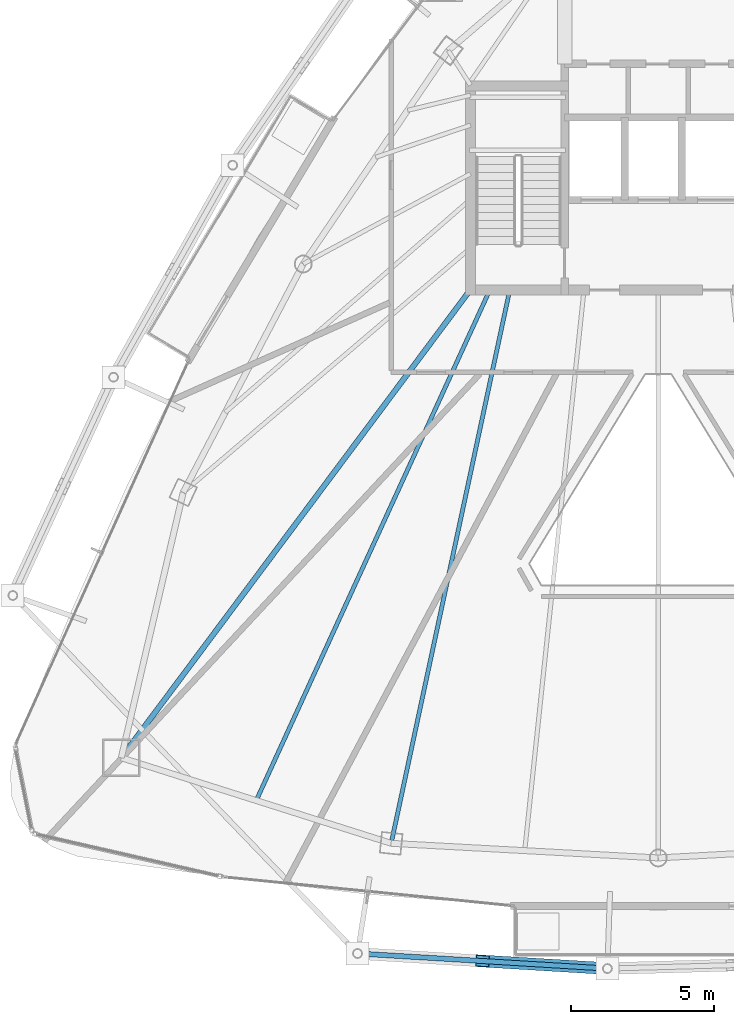
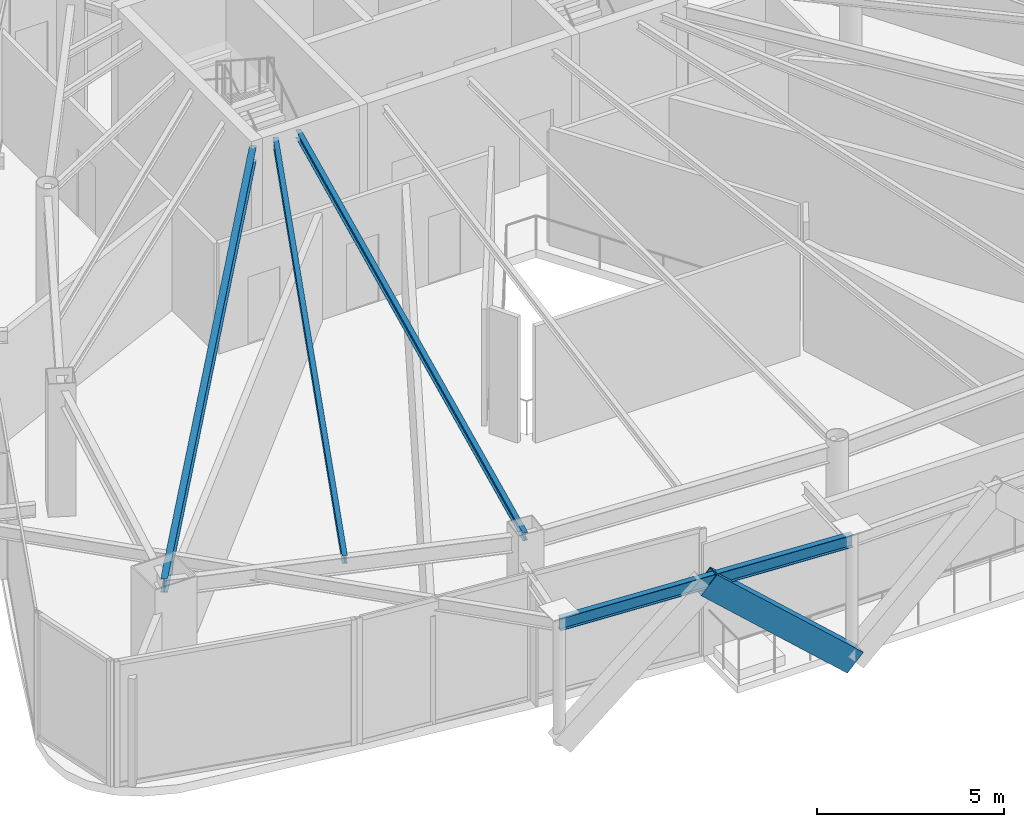
# One storey, part 5 of 25: 4 beams, 1 member.
"""IFC4 building model written with IfcOpenShell, lengths in metres."""

from ifc_helpers import new_model, si_unit, direction, frame, origin, origin_2d, place, context, subcontext, project, spatial, hollow_rectangle, i_section, extrude, material, material_profile, profile_set, type_object, element, save


model = new_model("IFC4")

# Units and contexts
model_context = context("Model", 3, precision=1e-05, world=origin(), true_north=direction((0.0, 1.0)))
body_context = subcontext(model_context, "Body", "Model", "MODEL_VIEW")
ifc_project = project(units=[si_unit("LENGTHUNIT", "METRE"), si_unit("AREAUNIT", "SQUARE_METRE"), si_unit("VOLUMEUNIT", "CUBIC_METRE"), si_unit("PLANEANGLEUNIT", "RADIAN"), si_unit("MASSUNIT", "GRAM", prefix="KILO")], contexts=[model_context])

# Site, building, storey
site_placement = place(None, origin())
site = spatial("IfcSite", under=ifc_project, at=site_placement, CompositionType="ELEMENT")
building_placement = place(site_placement, origin())
building = spatial("IfcBuilding", under=site, at=building_placement, Name="Orvanel Arch Residences", CompositionType="ELEMENT")
storey_placement = place(building_placement, frame((0.0, 0.0, 236.0)))
storey = spatial("IfcBuildingStorey", under=building, at=storey_placement, Name="L67", CompositionType="ELEMENT", Elevation=236.0)

# Beams
ifc_material_1 = material(Name="Structural steel AS/NZS 3679.1 Grade 300 (300 MPa)", Category="steel")
ifc_material_profile_1 = material_profile(ifc_material_1, i_section(OverallWidth=0.19091796875, OverallDepth=0.4599609375, WebThickness=0.010009765625, FlangeThickness=0.01611328125, at=origin_2d()), Name="460UB82.1")
ifc_profile_set_1 = profile_set([ifc_material_profile_1], Name="Structural steel AS/NZS 3679.1 Grade 300 (300 MPa)")
beam_type_1 = type_object("IfcBeamType", Name="BG-460UB", PredefinedType="BEAM", material=ifc_profile_set_1)
beam_1_placement = place(storey_placement, frame((26.375, 26.675048828125, 3.8798828125), z_axis=(-0.597893733742, -0.801575375839, 0.0), x_axis=(0.801575375839, -0.597893733742, 0.0)))
element("IfcBeam", 1, at=beam_1_placement, inside=storey, type_object=beam_type_1, Name="L67 South-West Radial Girder", PredefinedType="BEAM", context=body_context, shape_type="SweptSolid", body=[
    extrude(i_section(OverallWidth=0.19091796875, OverallDepth=0.4599609375, WebThickness=0.010009765625, FlangeThickness=0.01611328125, at=origin_2d()), origin(), (0.0, 0.0, 1.0), 20.36474609375),
])
ifc_material_profile_2 = material_profile(ifc_material_1, i_section(OverallWidth=0.14599609375, OverallDepth=0.251953125, WebThickness=0.006103515625, FlangeThickness=0.008544921875, at=origin_2d()), Name="250UB31.4")
ifc_profile_set_2 = profile_set([ifc_material_profile_2], Name="Structural steel AS/NZS 3679.1 Grade 300 (300 MPa)")
beam_type_2 = type_object("IfcBeamType", Name="BJ-250UB", PredefinedType="JOIST", material=ifc_profile_set_2)
beam_2_placement = place(storey_placement, frame((27.800048828125, 26.72509765625, 3.98388671875), z_axis=(-0.209547604985, -0.977798446125, 0.0), x_axis=(0.977798446125, -0.209547604985, 0.0)))
element("IfcBeam", 2, at=beam_2_placement, inside=storey, type_object=beam_type_2, Name="L67 SW Wing Floor Joist", PredefinedType="JOIST", context=body_context, shape_type="SweptSolid", body=[
    extrude(i_section(OverallWidth=0.14599609375, OverallDepth=0.251953125, WebThickness=0.006103515625, FlangeThickness=0.008544921875, at=origin_2d()), origin(), (0.0, 0.0, 1.0), 19.809814453125),
])
beam_3_placement = place(storey_placement, frame((27.10009765625, 26.72509765625, 3.98388671875), z_axis=(-0.416009574066, -0.909360233508, 0.0), x_axis=(0.909360233508, -0.416009574066, 0.0)))
element("IfcBeam", 3, at=beam_3_placement, inside=storey, type_object=beam_type_2, Name="L67 JADD1 Wing Floor Joist", PredefinedType="JOIST", context=body_context, shape_type="SweptSolid", body=[
    extrude(i_section(OverallWidth=0.14599609375, OverallDepth=0.251953125, WebThickness=0.006103515625, FlangeThickness=0.008544921875, at=origin_2d()), origin(), (0.0, 0.0, 1.0), 19.653564453125),
])

# Member
ifc_material_2 = material(Name="Structural steel AS/NZS 3678 Grade 350", Category="steel")
ifc_material_profile_3 = material_profile(ifc_material_2, hollow_rectangle(XDim=0.419921875, YDim=0.719970703125, WallThickness=0.02490234375, at=origin_2d()), Name="RHS720x420x25")
ifc_profile_set_3 = profile_set([ifc_material_profile_3], Name="Structural steel AS/NZS 3678 Grade 350")
member_type = type_object("IfcMemberType", Name="BR-720RHS-EXT", PredefinedType="BRACE", material=ifc_profile_set_3)
member_placement = place(storey_placement, frame((31.219970703125, 2.969970703125, 0.0), z_axis=(-0.74512177186, 0.044948472957, 0.665412037672), x_axis=(-0.060214202146, -0.998185478686, 0.0)))
element("IfcMember", 4, at=member_placement, inside=storey, type_object=member_type, Name="L67 Exterior Sky-Garden V-Frame Chevron F2B1.2", PredefinedType="BRACE", context=body_context, shape_type="SweptSolid", body=[
    extrude(hollow_rectangle(XDim=0.419921875, YDim=0.719970703125, WallThickness=0.02490234375, at=origin_2d()), origin(), (0.0, 0.0, 1.0), 5.87158203125),
])

# Beam
ifc_material_profile_4 = material_profile(ifc_material_1, i_section(OverallWidth=0.177978515625, OverallDepth=0.406005859375, WebThickness=0.0078125, FlangeThickness=0.0126953125, at=origin_2d()), Name="410UB59.7")
ifc_profile_set_4 = profile_set([ifc_material_profile_4], Name="Structural steel AS/NZS 3679.1 Grade 300 (300 MPa)")
beam_type_3 = type_object("IfcBeamType", Name="OB-410UB-EXT", PredefinedType="SPANDREL", material=ifc_profile_set_4)
beam_4_placement = place(storey_placement, frame((22.469970703125, 3.498046875, 3.906982421875), z_axis=(0.998183804311, -0.060241952252, 0.0), x_axis=(0.060241952252, 0.998183804311, 0.0)))
element("IfcBeam", 5, at=beam_4_placement, inside=storey, type_object=beam_type_3, Name="L67 Outer Perimeter Floor Ring Beam 05", PredefinedType="SPANDREL", context=body_context, shape_type="SweptSolid", body=[
    extrude(i_section(OverallWidth=0.177978515625, OverallDepth=0.406005859375, WebThickness=0.0078125, FlangeThickness=0.0126953125, at=origin_2d()), origin(), (0.0, 0.0, 1.0), 8.765869140625),
])

save(model, "model.ifc")
